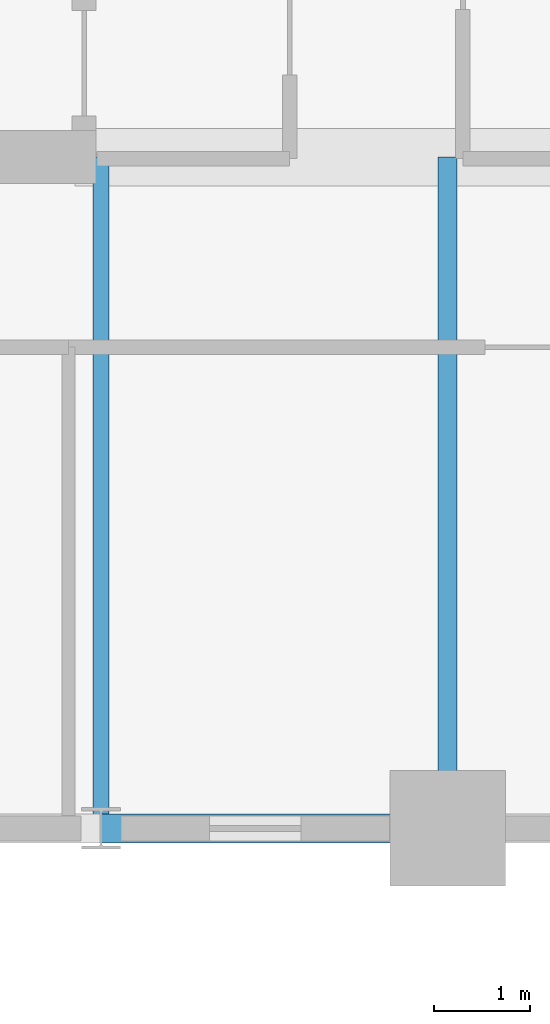
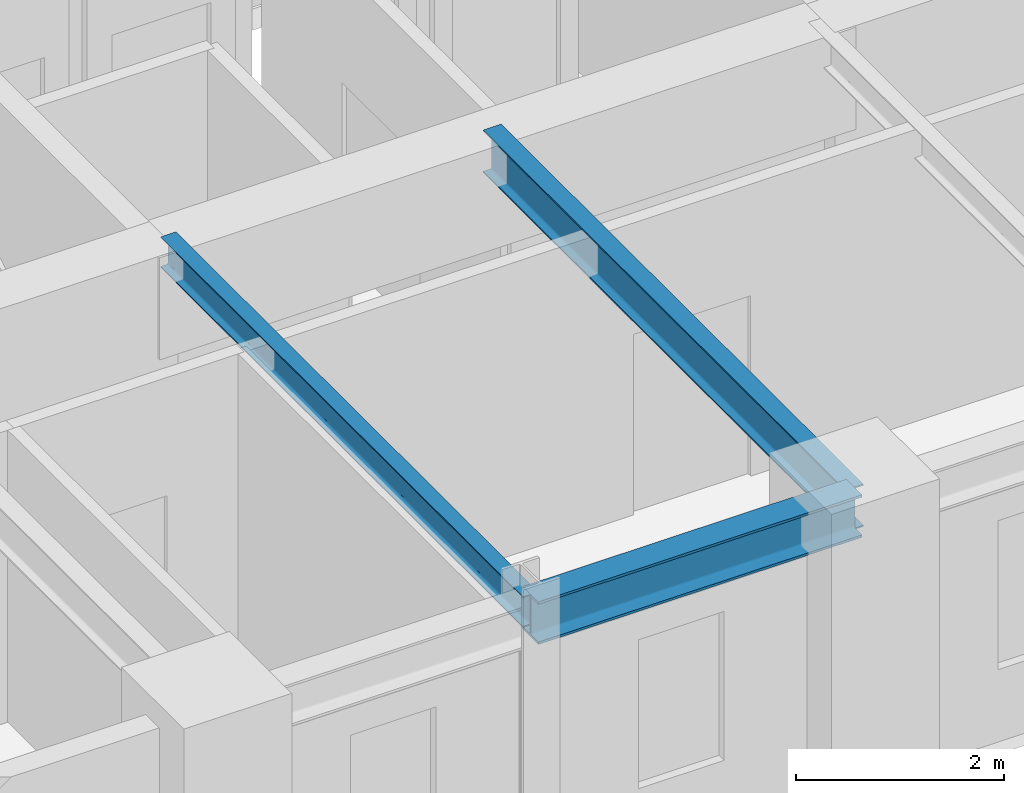
# One storey, part 3 of 18: 3 beams.
"""IFC4 building model written with IfcOpenShell, lengths in metres."""

from ifc_helpers import new_model, si_unit, direction, frame, origin, origin_2d, place, context, subcontext, project, spatial, i_section, extrude, source, transform, mapped, material, material_profile, profile_set, type_object, element, save


model = new_model("IFC4")

# Units and contexts
model_context = context("Model", 3, precision=1e-05, world=origin(), true_north=direction((0.0, 1.0)))
body_context = subcontext(model_context, "Body", "Model", "MODEL_VIEW")
ifc_project = project(units=[si_unit("LENGTHUNIT", "METRE"), si_unit("AREAUNIT", "SQUARE_METRE"), si_unit("VOLUMEUNIT", "CUBIC_METRE"), si_unit("PLANEANGLEUNIT", "RADIAN"), si_unit("MASSUNIT", "GRAM", prefix="KILO")], contexts=[model_context])

# Site, building, storey
site_placement = place(None, origin())
site = spatial("IfcSite", under=ifc_project, at=site_placement, CompositionType="ELEMENT")
building_placement = place(site_placement, origin())
building = spatial("IfcBuilding", under=site, at=building_placement, Name="Kaliganga Portal Commons", CompositionType="ELEMENT")
storey_placement = place(building_placement, frame((0.0, 0.0, 93.39990234375)))
storey = spatial("IfcBuildingStorey", under=building, at=storey_placement, Name="L23", CompositionType="ELEMENT", Elevation=93.39990234375)

# Beams
ifc_material = material(Name="Structural steel S355J2", Category="steel")
ifc_material_profile_1 = material_profile(ifc_material, i_section(OverallWidth=0.300048828125, OverallDepth=0.5, WebThickness=0.014404296875, FlangeThickness=0.028076171875, FilletRadius=0.027099609375, at=origin_2d()), Name="HE 500 B")
ifc_profile_set_1 = profile_set([ifc_material_profile_1], Name="Structural steel S355J2 wide-flange")
beam_type_1 = type_object("IfcBeamType", Name="BM-SPAND-500", PredefinedType="SPANDREL", material=ifc_profile_set_1)
shared_shape_1 = source(origin(), body_context, "Body", "SweptSolid", [
    extrude(i_section(OverallWidth=0.300048828125, OverallDepth=0.5, WebThickness=0.014404296875, FlangeThickness=0.028076171875, FilletRadius=0.027099609375, at=origin_2d()), origin(), (0.0, 0.0, 1.0), 3.60009765625),
])
beam_1_placement = place(storey_placement, frame((18.0, 21.60009765625, 3.2001953125), z_axis=(1.0, 0.0, 0.0), x_axis=(0.0, 1.0, 0.0)))
element("IfcBeam", 1, at=beam_1_placement, inside=storey, type_object=beam_type_1, Name="BM SP L23 AS 2", PredefinedType="SPANDREL", context=body_context, shape_type="MappedRepresentation", body=[
    mapped(shared_shape_1, transform((0.0, 0.0, 0.0), x_axis=(1.0, 0.0, 0.0), y_axis=(0.0, 1.0, 0.0), z_axis=(0.0, 0.0, 1.0), scale=1.0)),
])
ifc_material_profile_2 = material_profile(ifc_material, i_section(OverallWidth=0.169921875, OverallDepth=0.360107421875, WebThickness=0.008056640625, FlangeThickness=0.0126953125, FilletRadius=0.01806640625, at=origin_2d()), Name="IPE 360")
ifc_profile_set_2 = profile_set([ifc_material_profile_2], Name="Structural steel S355J2 wide-flange")
beam_type_2 = type_object("IfcBeamType", Name="BM-JST-360", PredefinedType="JOIST", material=ifc_profile_set_2)
shared_shape_2 = source(origin(), body_context, "Body", "SweptSolid", [
    extrude(i_section(OverallWidth=0.169921875, OverallDepth=0.360107421875, WebThickness=0.008056640625, FlangeThickness=0.0126953125, FilletRadius=0.01806640625, at=origin_2d()), origin(), (0.0, 0.0, 1.0), 6.974853515625),
])
beam_2_placement = place(storey_placement, frame((18.0, 21.60009765625, 3.27001953125), z_axis=(0.0, 1.0, 0.0), x_axis=(-1.0, 0.0, 0.0)))
element("IfcBeam", 2, at=beam_2_placement, inside=storey, type_object=beam_type_2, Name="BM G L23 AS180", PredefinedType="JOIST", context=body_context, shape_type="MappedRepresentation", body=[
    mapped(shared_shape_2, transform((0.0, 0.0, 0.0), x_axis=(1.0, 0.0, 0.0), y_axis=(0.0, 1.0, 0.0), z_axis=(0.0, 0.0, 1.0), scale=1.0)),
])
ifc_material_profile_3 = material_profile(ifc_material, i_section(OverallWidth=0.199951171875, OverallDepth=0.5, WebThickness=0.01025390625, FlangeThickness=0.01611328125, FilletRadius=0.02099609375, at=origin_2d()), Name="IPE 500")
ifc_profile_set_3 = profile_set([ifc_material_profile_3], Name="Structural steel S355J2 wide-flange")
beam_type_3 = type_object("IfcBeamType", Name="BM-FLR-500", PredefinedType="BEAM", material=ifc_profile_set_3)
shared_shape_3 = source(origin(), body_context, "Body", "SweptSolid", [
    extrude(i_section(OverallWidth=0.199951171875, OverallDepth=0.5, WebThickness=0.01025390625, FlangeThickness=0.01611328125, FilletRadius=0.02099609375, at=origin_2d()), origin(), (0.0, 0.0, 1.0), 6.974853515625),
])
beam_3_placement = place(storey_placement, frame((21.60009765625, 21.60009765625, 3.2001953125), z_axis=(0.0, 1.0, 0.0), x_axis=(-1.0, 0.0, 0.0)))
element("IfcBeam", 3, at=beam_3_placement, inside=storey, type_object=beam_type_3, Name="BM G L23 AS216", PredefinedType="BEAM", context=body_context, shape_type="MappedRepresentation", body=[
    mapped(shared_shape_3, transform((0.0, 0.0, 0.0), x_axis=(1.0, 0.0, 0.0), y_axis=(0.0, 1.0, 0.0), z_axis=(0.0, 0.0, 1.0), scale=1.0)),
])

save(model, "model.ifc")
